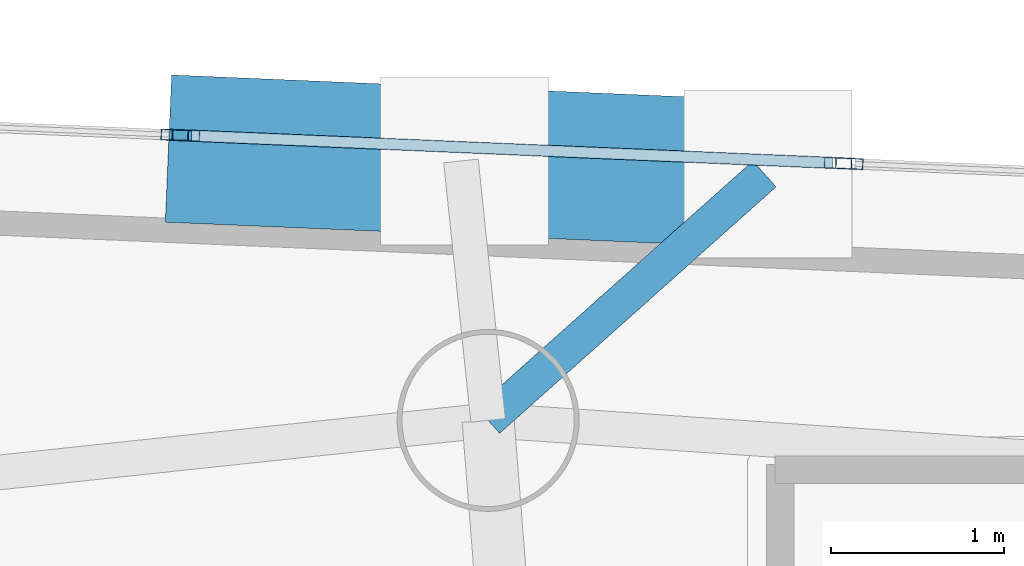
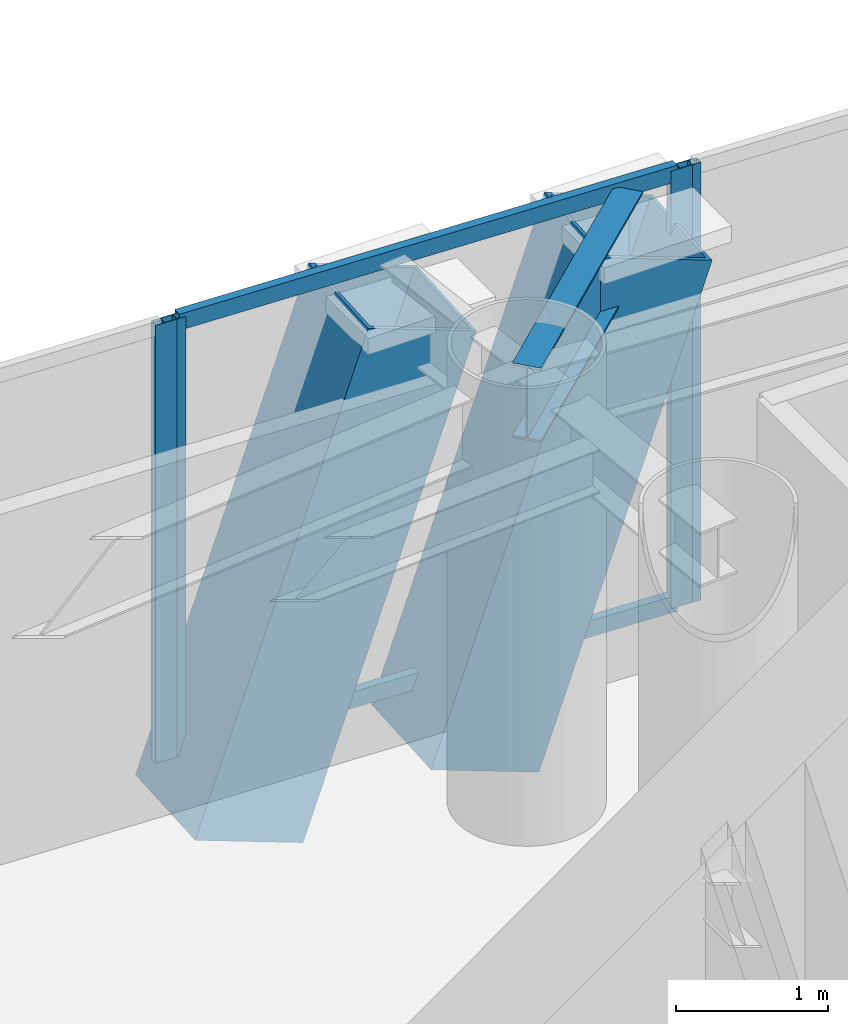
# One storey, part 11 of 21: 8 members, 1 beam, 3 elements without a shape of their own.
"""IFC4 building model written with IfcOpenShell, lengths in metres."""

from ifc_helpers import new_model, si_unit, direction, frame, origin, origin_2d, place, context, subcontext, project, spatial, hollow_rectangle, i_section, extrude, material, layer, layer_set, material_profile, profile_set, type_object, element, aggregate, save


model = new_model("IFC4")

# Units and contexts
model_context = context("Model", 3, precision=1e-05, world=origin(), true_north=direction((0.0, 1.0)))
body_context = subcontext(model_context, "Body", "Model", "MODEL_VIEW")
ifc_project = project(units=[si_unit("LENGTHUNIT", "METRE"), si_unit("AREAUNIT", "SQUARE_METRE"), si_unit("VOLUMEUNIT", "CUBIC_METRE"), si_unit("PLANEANGLEUNIT", "RADIAN"), si_unit("MASSUNIT", "GRAM", prefix="KILO")], contexts=[model_context])

# Site, building, storey
site_placement = place(None, origin())
site = spatial("IfcSite", under=ifc_project, at=site_placement, CompositionType="ELEMENT")
building_placement = place(site_placement, origin())
building = spatial("IfcBuilding", under=site, at=building_placement, Name="Qianvela Tower", CompositionType="ELEMENT")
storey_placement = place(building_placement, frame((0.0, 0.0, 242.699951171875)))
storey = spatial("IfcBuildingStorey", under=building, at=storey_placement, Name="L62", CompositionType="ELEMENT", Elevation=242.699951171875)

# Beam
ifc_material_1 = material(Name="Steel Q355B", Category="steel")
ifc_material_profile_1 = material_profile(ifc_material_1, i_section(OverallWidth=0.199951171875, OverallDepth=0.60009765625, WebThickness=0.010986328125, FlangeThickness=0.01708984375, at=origin_2d()), Name="HN600x200x11x17")
ifc_profile_set_1 = profile_set([ifc_material_profile_1], Name="Steel Q355B")
beam_type = type_object("IfcBeamType", Name="BM-HN600-GIRD", PredefinedType="BEAM", material=ifc_profile_set_1)
beam_placement = place(storey_placement, frame((38.22509765625, 35.77294921875, 3.218017578125), z_axis=(0.746355276621, 0.66554774514, 0.0), x_axis=(-0.66554774514, 0.746355276621, 0.0)))
element("IfcBeam", 1, at=beam_placement, inside=storey, type_object=beam_type, Name="L62 Mega-Brace Column Tie Bracket F1-1", PredefinedType="BEAM", context=body_context, shape_type="SweptSolid", body=[
    extrude(i_section(OverallWidth=0.199951171875, OverallDepth=0.60009765625, WebThickness=0.010986328125, FlangeThickness=0.01708984375, at=origin_2d()), origin(), (0.0, 0.0, 1.0), 2.135986328125),
])

# Curtain wall, members
ifc_material_2 = material(Name="Anodised Architectural Aluminium and Insulated Spandrel Panel", Category="aluminium")
ifc_layer_1 = layer(ifc_material_2, 0.179931640625)
ifc_layer_set_1 = layer_set([ifc_layer_1], Name="Anodised Architectural Aluminium and Insulated Spandrel Panel")
curtain_wall_type_1 = type_object("IfcCurtainWallType", Name="CW-BRACEBAY", PredefinedType="USERDEFINED", material=ifc_layer_set_1)
curtain_wall_1_placement = place(storey_placement, origin())
curtain_wall_1 = element("IfcCurtainWall", 2, at=curtain_wall_1_placement, inside=storey, type_object=curtain_wall_type_1, Name="L62 CW-BRACEBAY Curtain Wall 02B", ObjectType="CURTAIN_WALL_SYSTEM", PredefinedType="USERDEFINED")
ifc_material_3 = material(Name="Anodised Architectural Aluminium 6063-T6", Category="aluminium")
ifc_material_profile_2 = material_profile(ifc_material_3, hollow_rectangle(XDim=0.06494140625, YDim=0.159912109375, WallThickness=0.0048828125, at=origin_2d()), Name="ALU-MULL-65x160")
ifc_profile_set_2 = profile_set([ifc_material_profile_2], Name="Anodised Architectural Aluminium 6063-T6")
member_type_1 = type_object("IfcMemberType", Name="CW-BRACEBAY-MULL", PredefinedType="MULLION", material=ifc_profile_set_2)
member_1_placement = place(storey_placement, frame((40.24365234375, 37.256591796875, 0.0), z_axis=(0.0, 0.0, 1.0), x_axis=(-0.042453720132, -0.999098434413, 0.0)))
member_1 = element("IfcMember", 3, at=member_1_placement, type_object=member_type_1, Name="CW-9 mullion 1", PredefinedType="MULLION", context=body_context, shape_type="SweptSolid", body=[
    extrude(hollow_rectangle(XDim=0.06494140625, YDim=0.159912109375, WallThickness=0.0048828125, at=origin_2d()), origin(), (0.0, 0.0, 1.0), 3.52001953125),
])
member_2_placement = place(storey_placement, frame((36.482177734375, 37.41650390625, 0.0), z_axis=(0.0, 0.0, 1.0), x_axis=(-0.042453720132, -0.999098434413, 0.0)))
member_2 = element("IfcMember", 4, at=member_2_placement, type_object=member_type_1, Name="CW-9 mullion 2", PredefinedType="MULLION", context=body_context, shape_type="SweptSolid", body=[
    extrude(hollow_rectangle(XDim=0.06494140625, YDim=0.159912109375, WallThickness=0.0048828125, at=origin_2d()), origin(), (0.0, 0.0, 1.0), 3.52001953125),
])
ifc_material_4 = material(Name="Anodised Architectural Aluminium 6063-T6", Category="aluminium")
ifc_material_profile_3 = material_profile(ifc_material_4, hollow_rectangle(XDim=0.06494140625, YDim=0.1298828125, WallThickness=0.00439453125, at=origin_2d()), Name="ALU-TRAN-65x130")
ifc_profile_set_3 = profile_set([ifc_material_profile_3], Name="Anodised Architectural Aluminium 6063-T6")
member_type_2 = type_object("IfcMemberType", Name="CW-BRACEBAY-TRAN", PredefinedType="USERDEFINED", material=ifc_profile_set_3)
member_3_placement = place(storey_placement, frame((40.211181640625, 37.258056640625, 0.032470703125), z_axis=(-0.999099474774, 0.042429229396, 0.0), x_axis=(-0.042429229396, -0.999099474774, 0.0)))
member_3 = element("IfcMember", 5, at=member_3_placement, type_object=member_type_2, Name="CW-9 transom 1.1", ObjectType="TRANSOM", PredefinedType="USERDEFINED", context=body_context, shape_type="SweptSolid", body=[
    extrude(hollow_rectangle(XDim=0.06494140625, YDim=0.1298828125, WallThickness=0.00439453125, at=origin_2d()), origin(), (0.0, 0.0, 1.0), 3.699951171875),
])
member_4_placement = place(storey_placement, frame((40.211181640625, 37.258056640625, 3.487548828125), z_axis=(-0.999099474774, 0.042429229396, 0.0), x_axis=(-0.042429229396, -0.999099474774, 0.0)))
member_4 = element("IfcMember", 6, at=member_4_placement, type_object=member_type_2, Name="CW-9 transom 1.2", ObjectType="TRANSOM", PredefinedType="USERDEFINED", context=body_context, shape_type="SweptSolid", body=[
    extrude(hollow_rectangle(XDim=0.06494140625, YDim=0.1298828125, WallThickness=0.00439453125, at=origin_2d()), origin(), (0.0, 0.0, 1.0), 3.699951171875),
])
aggregate(curtain_wall_1, [member_1, member_2, member_3, member_4])

# Curtain wall, member
ifc_material_5 = material(Name="Anodised Architectural Aluminium and Low-E Glass", Category="aluminium")
ifc_layer_2 = layer(ifc_material_5, 0.159912109375)
ifc_layer_set_2 = layer_set([ifc_layer_2], Name="Anodised Architectural Aluminium and Low-E Glass")
curtain_wall_type_2 = type_object("IfcCurtainWallType", Name="CW-COLIV-Z56", PredefinedType="USERDEFINED", material=ifc_layer_set_2)
curtain_wall_2_placement = place(storey_placement, origin())
curtain_wall_2 = element("IfcCurtainWall", 7, at=curtain_wall_2_placement, inside=storey, type_object=curtain_wall_type_2, Name="L62 CW-COLIV-Z56 Curtain Wall 02A", ObjectType="CURTAIN_WALL_SYSTEM", PredefinedType="USERDEFINED")
ifc_material_6 = material(Name="Anodised Architectural Aluminium 6063-T6", Category="aluminium")
ifc_material_profile_4 = material_profile(ifc_material_6, hollow_rectangle(XDim=0.06494140625, YDim=0.159912109375, WallThickness=0.0048828125, at=origin_2d()), Name="ALU-MULL-65x160")
ifc_profile_set_4 = profile_set([ifc_material_profile_4], Name="Anodised Architectural Aluminium 6063-T6")
member_type_3 = type_object("IfcMemberType", Name="CW-COLIV-Z56-MULL", PredefinedType="MULLION", material=ifc_profile_set_4)
member_5_placement = place(storey_placement, frame((40.30859375, 37.25390625, 0.0), z_axis=(0.0, 0.0, 1.0), x_axis=(-0.04245428762, -0.999098410299, 0.0)))
member_5 = element("IfcMember", 8, at=member_5_placement, type_object=member_type_3, Name="CW-5 mullion 3", PredefinedType="MULLION", context=body_context, shape_type="SweptSolid", body=[
    extrude(hollow_rectangle(XDim=0.06494140625, YDim=0.159912109375, WallThickness=0.0048828125, at=origin_2d()), origin(), (0.0, 0.0, 1.0), 3.52001953125),
])
aggregate(curtain_wall_2, [member_5])

curtain_wall_3_placement = place(storey_placement, origin())
curtain_wall_3 = element("IfcCurtainWall", 9, at=curtain_wall_3_placement, inside=storey, type_object=curtain_wall_type_2, Name="L62 CW-COLIV-Z56 Curtain Wall 02C", ObjectType="CURTAIN_WALL_SYSTEM", PredefinedType="USERDEFINED")
member_6_placement = place(storey_placement, frame((36.417236328125, 37.419189453125, 0.0), z_axis=(0.0, 0.0, 1.0), x_axis=(-0.042454565017, -0.999098398512, 0.0)))
member_6 = element("IfcMember", 10, at=member_6_placement, type_object=member_type_3, Name="CW-5 mullion 1", PredefinedType="MULLION", context=body_context, shape_type="SweptSolid", body=[
    extrude(hollow_rectangle(XDim=0.06494140625, YDim=0.159912109375, WallThickness=0.0048828125, at=origin_2d()), origin(), (0.0, 0.0, 1.0), 3.52001953125),
])
aggregate(curtain_wall_3, [member_6])

# Members
ifc_material_7 = material(Name="Steel Q420GJC", Category="steel")
ifc_material_profile_5 = material_profile(ifc_material_7, hollow_rectangle(XDim=0.85009765625, YDim=0.85009765625, WallThickness=0.031982421875, at=origin_2d()), Name="MBOX-850x850x32")
ifc_profile_set_5 = profile_set([ifc_material_profile_5], Name="Steel Q420GJC")
member_type_4 = type_object("IfcMemberType", Name="MBR-MBRACE-850", PredefinedType="BRACE", material=ifc_profile_set_5)
member_7_placement = place(storey_placement, frame((38.533447265625, 37.249267578125, -0.48193359375), z_axis=(0.328249297693, -0.013960099237, 0.944487964028), x_axis=(0.042490544646, 0.999096868985, 0.0)))
element("IfcMember", 11, at=member_7_placement, inside=storey, type_object=member_type_4, Name="L62 Tier 10 Exterior Mega-Brace F1A", PredefinedType="BRACE", context=body_context, shape_type="SweptSolid", body=[
    extrude(hollow_rectangle(XDim=0.85009765625, YDim=0.85009765625, WallThickness=0.031982421875, at=origin_2d()), origin(), (0.0, 0.0, 1.0), 3.91748046875),
])
member_8_placement = place(storey_placement, frame((36.78271484375, 37.32373046875, -0.48193359375), z_axis=(0.328193689147, -0.013960384802, 0.944507284281), x_axis=(0.042498598921, 0.999096526413, 0.0)))
element("IfcMember", 12, at=member_8_placement, inside=storey, type_object=member_type_4, Name="L62 Tier 10 Exterior Mega-Brace F1B", PredefinedType="BRACE", context=body_context, shape_type="SweptSolid", body=[
    extrude(hollow_rectangle(XDim=0.85009765625, YDim=0.85009765625, WallThickness=0.031982421875, at=origin_2d()), origin(), (0.0, 0.0, 1.0), 3.917236328125),
])

save(model, "model.ifc")
